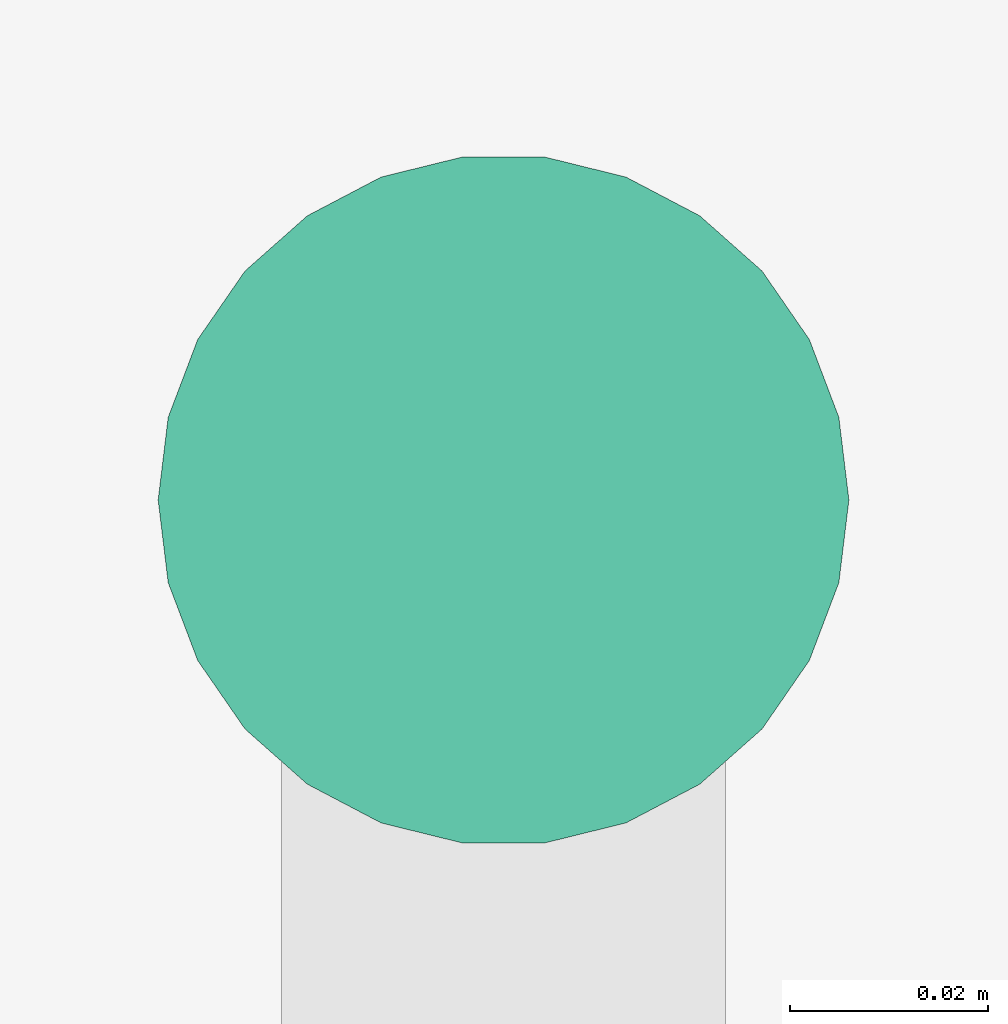
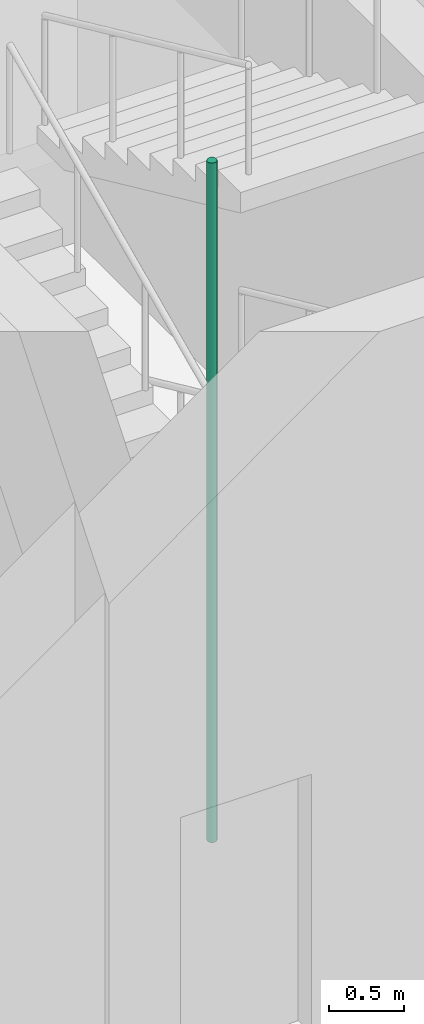
# One storey, part 21 of 33: 1 pipe segment.
"""IFC4 building model written with IfcOpenShell, lengths in metres."""

from ifc_helpers import new_model, si_unit, direction, frame, origin, origin_2d, place, context, subcontext, project, spatial, circle, extrude, element, save


model = new_model("IFC4")

# Units and contexts
model_context = context("Model", 3, precision=1e-05, world=origin(), true_north=direction((0.0, 1.0)))
body_context = subcontext(model_context, "Body", "Model", "MODEL_VIEW")
ifc_project = project(units=[si_unit("LENGTHUNIT", "METRE"), si_unit("AREAUNIT", "SQUARE_METRE"), si_unit("VOLUMEUNIT", "CUBIC_METRE"), si_unit("PLANEANGLEUNIT", "RADIAN"), si_unit("MASSUNIT", "GRAM", prefix="KILO")], contexts=[model_context])

# Site, building, storey
site_placement = place(None, origin())
site = spatial("IfcSite", under=ifc_project, at=site_placement, CompositionType="ELEMENT")
building_placement = place(site_placement, origin())
building = spatial("IfcBuilding", under=site, at=building_placement, Name="Nzadi Deep Aquarium and Research Tower", CompositionType="ELEMENT")
storey_placement = place(building_placement, frame((0.0, 0.0, -5.5)))
storey = spatial("IfcBuildingStorey", under=building, at=storey_placement, Name="B1", CompositionType="ELEMENT", Elevation=-5.5)

# Pipe segment
pipe_segment_placement = place(storey_placement, frame((25.10009765625, 13.719970703125, 0.0), z_axis=(0.0, 0.0, 1.0), x_axis=(1.0, 0.0, 0.0)))
element("IfcPipeSegment", 1, at=pipe_segment_placement, inside=storey, Name="Dry riser ST-Z1-SE B1", PredefinedType="RIGIDSEGMENT", context=body_context, shape_type="SweptSolid", body=[
    extrude(circle(Radius=0.034912109375, at=origin_2d()), origin(), (0.0, 0.0, 1.0), 5.5),
])

save(model, "model.ifc")
